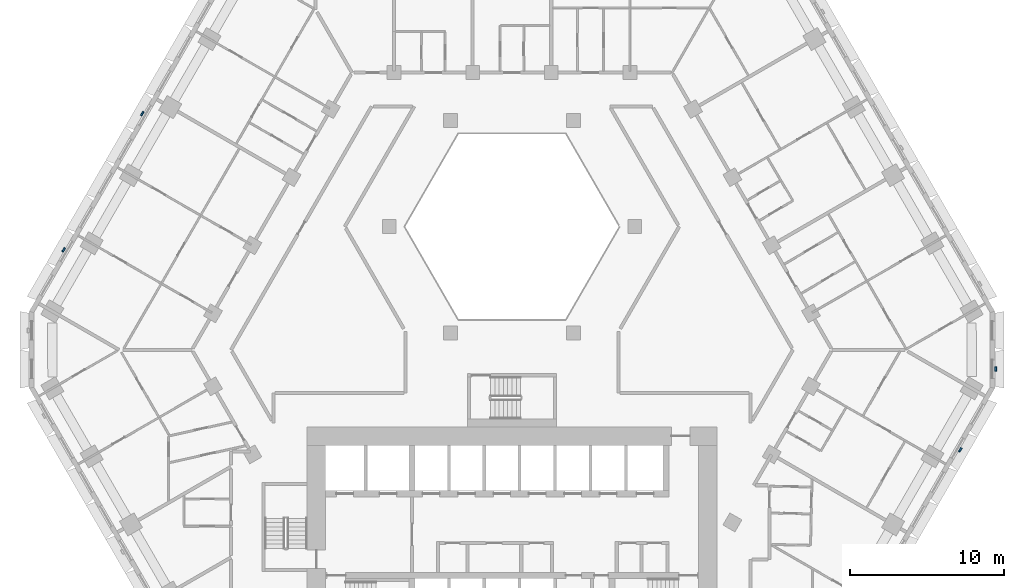
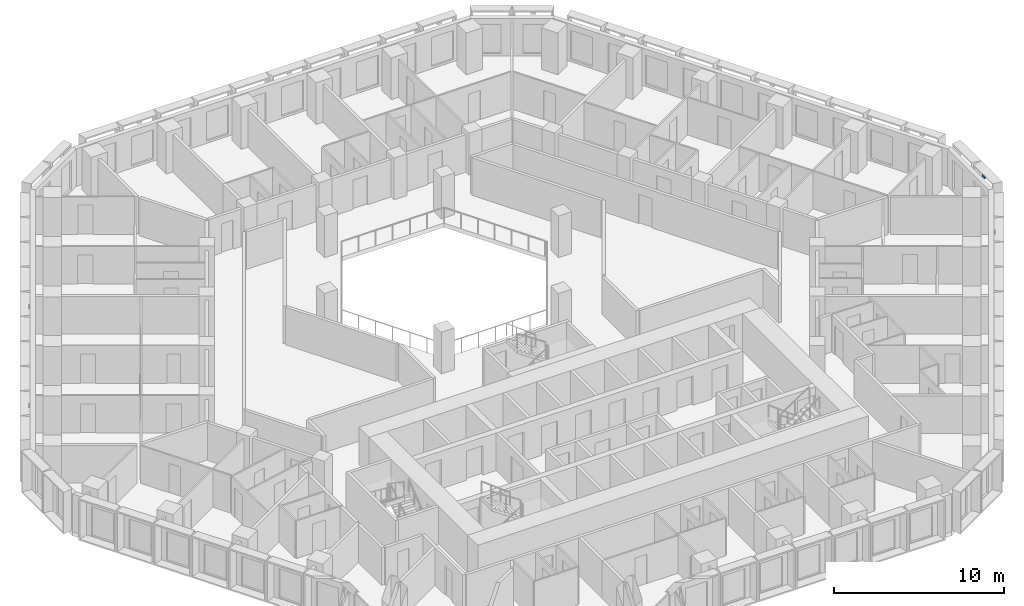
# One storey, part 14 of 21: 4 discrete accessories.
"""IFC4 building model written with IfcOpenShell, lengths in metres."""

from ifc_helpers import new_model, si_unit, direction, frame, origin, place, context, subcontext, project, spatial, polyline, outline, extrude, source, transform, mapped, material, type_object, type_shapes, element, save


model = new_model("IFC4")

# Units and contexts
model_context = context("Model", 3, precision=1e-05, world=origin(), true_north=direction((0.0, 1.0)))
body_context = subcontext(model_context, "Body", "Model", "MODEL_VIEW")
ifc_project = project(units=[si_unit("LENGTHUNIT", "METRE"), si_unit("AREAUNIT", "SQUARE_METRE"), si_unit("VOLUMEUNIT", "CUBIC_METRE"), si_unit("PLANEANGLEUNIT", "RADIAN"), si_unit("MASSUNIT", "GRAM", prefix="KILO")], contexts=[model_context])

# Site, building, storey
site_placement = place(None, origin())
site = spatial("IfcSite", under=ifc_project, at=site_placement, CompositionType="ELEMENT")
building_placement = place(site_placement, origin())
building = spatial("IfcBuilding", under=site, at=building_placement, Name="Beryl Residences", CompositionType="ELEMENT")
storey_placement = place(building_placement, frame((0.0, 0.0, 29.39990234375)))
storey = spatial("IfcBuildingStorey", under=building, at=storey_placement, Name="L08", CompositionType="ELEMENT", Elevation=29.39990234375)

# Discrete accessories
ifc_material = material(Name="Steel S355", Category="steel")
discrete_accessory_type = type_object("IfcDiscreteAccessoryType", Name="BR1 frame bracket 300 x 120 x 150 mm", PredefinedType="BRACKET", material=ifc_material)
shared_shape = source(origin(), body_context, "Body", "SweptSolid", [
    extrude(outline(polyline([(-0.14990234375, 0.0), (0.14990234375, 0.0), (0.14990234375, 0.1201171875), (-0.14990234375, 0.1201171875), (-0.14990234375, 0.0)])), origin(), (0.0, 0.0, 1.0), 0.14990234375),
])
type_shapes(discrete_accessory_type, [shared_shape])
for number, where, z_axis, x_axis, name in (
    (1, (-23.9580078125, 15.303955078125, 2.75), (0.0, 0.0, 1.0), (0.5, 0.866025403784, 0.0), "BR1 bracket L08 NW 5"),
    (2, (-29.06103515625, 6.464111328125, 2.75), (0.0, 0.0, 1.0), (0.5, 0.866025403784, 0.0), "BR1 bracket L08 NW 9"),
    (3, (29.06103515625, -6.464111328125, 2.75), (0.0, 0.0, 1.0), (-0.5, -0.866025403784, 0.0), "BR1 bracket L08 SE 9"),
    (4, (31.35009765625, -1.25, 2.75), (0.0, 0.0, 1.0), (0.0, -1.0, 0.0), "BR1 bracket L08 SE-NE 1"),
):
    element("IfcDiscreteAccessory", number, at=place(storey_placement, frame(where, z_axis=z_axis, x_axis=x_axis)), inside=storey, type_object=discrete_accessory_type, Name=name, PredefinedType="BRACKET", context=body_context, shape_type="MappedRepresentation", body=[
        mapped(shared_shape, transform((0.0, 0.0, 0.0))),
    ])

save(model, "model.ifc")
